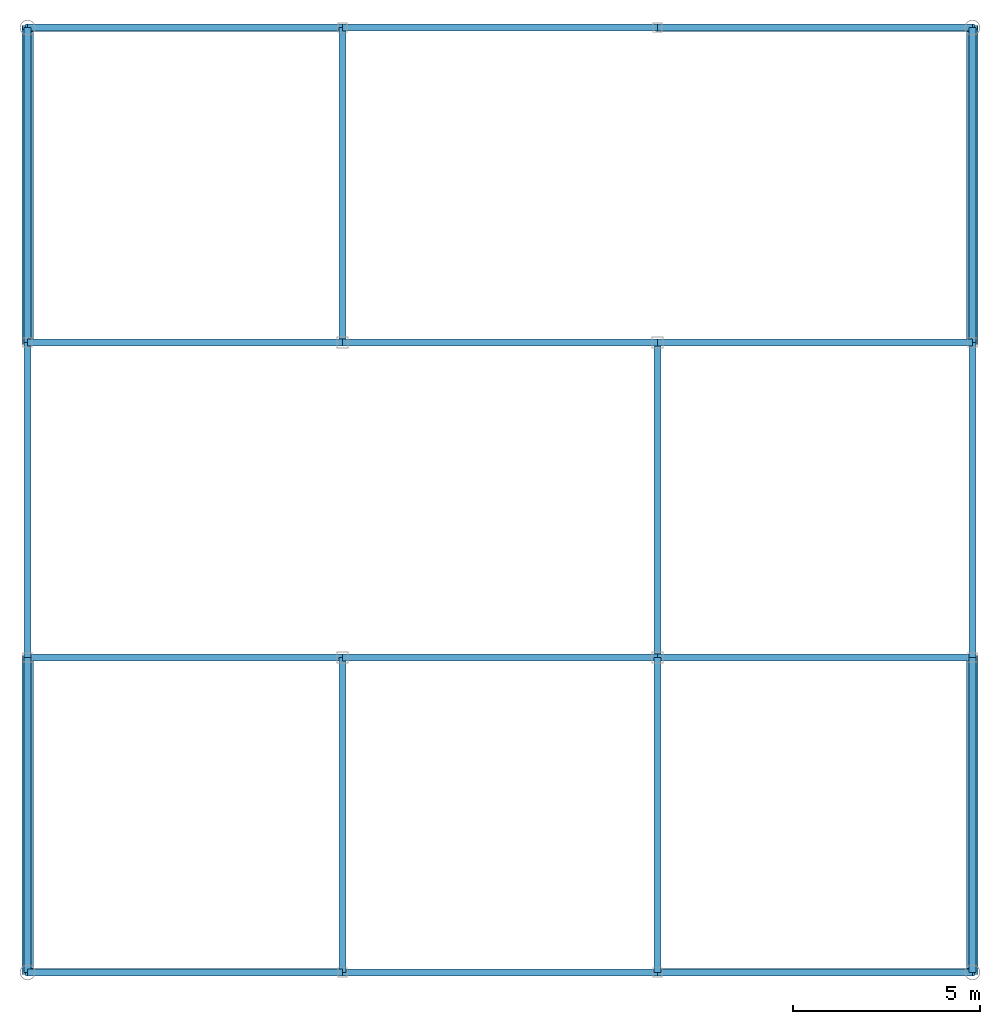
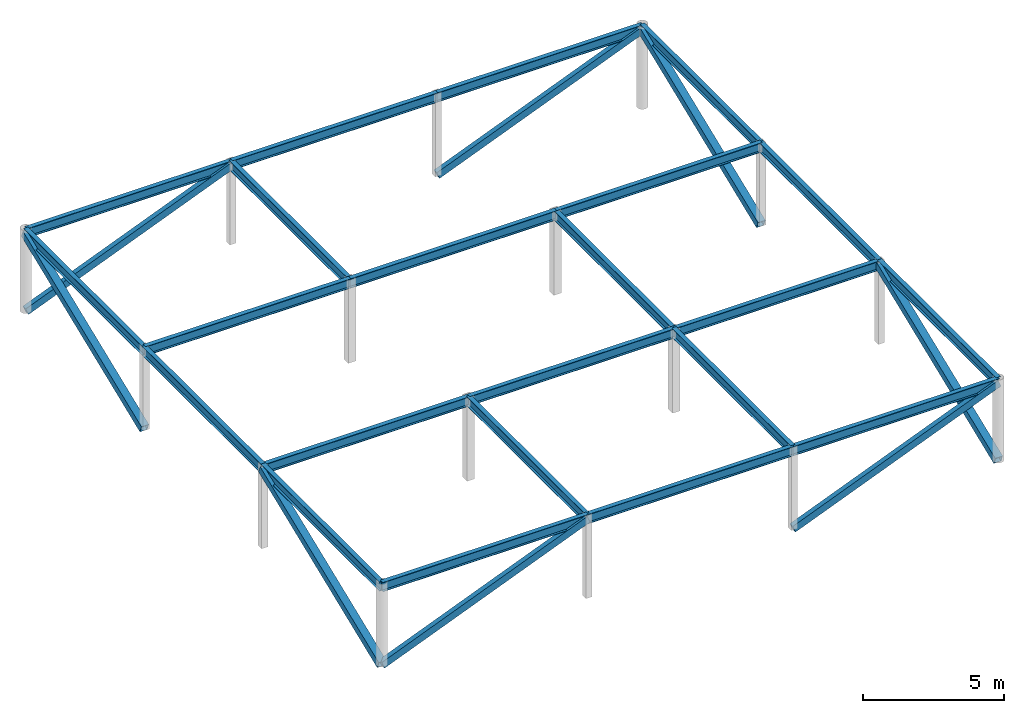
# One storey, part 3 of 3: 22 beams, 8 members.
"""IFC4 building model written with IfcOpenShell, lengths in metres."""

from ifc_helpers import new_model, si_unit, direction, frame, origin, origin_2d, place, context, subcontext, project, spatial, hollow_rectangle, i_section, extrude, material, material_profile, profile_set, type_object, element, save


model = new_model("IFC4")

# Units and contexts
model_context = context("Model", 3, precision=1e-05, world=origin(), true_north=direction((0.0, 1.0)))
body_context = subcontext(model_context, "Body", "Model", "MODEL_VIEW")
ifc_project = project(units=[si_unit("LENGTHUNIT", "METRE"), si_unit("AREAUNIT", "SQUARE_METRE"), si_unit("VOLUMEUNIT", "CUBIC_METRE"), si_unit("PLANEANGLEUNIT", "RADIAN"), si_unit("MASSUNIT", "GRAM", prefix="KILO")], contexts=[model_context])

# Site, building, storey
site_placement = place(None, origin())
site = spatial("IfcSite", under=ifc_project, at=site_placement, CompositionType="ELEMENT")
building_placement = place(site_placement, origin())
building = spatial("IfcBuilding", under=site, at=building_placement, Name="Almacenes y Pasaje Nevantli", CompositionType="ELEMENT")
storey_placement = place(building_placement, frame((0.0, 0.0, 71.199951171875)))
storey = spatial("IfcBuildingStorey", under=building, at=storey_placement, Name="RF", CompositionType="ELEMENT", Elevation=71.199951171875)

# Beams
ifc_material_1 = material(Name="Steel ASTM A992", Category="steel")
ifc_material_profile_1 = material_profile(ifc_material_1, i_section(OverallWidth=0.180908203125, OverallDepth=0.406005859375, WebThickness=0.010986328125, FlangeThickness=0.018310546875, at=origin_2d()), Name="IR 406x85.0")
ifc_profile_set_1 = profile_set([ifc_material_profile_1], Name="Steel ASTM A992")
beam_type = type_object("IfcBeamType", Name="BM-STL-IR-406x85p0", PredefinedType="BEAM", material=ifc_profile_set_1)
for number, where, z_axis, x_axis, name in (
    (1, (117.60009765625, 67.199951171875, 3.3701171875), (1.0, 0.0, 0.0), (0.0, 1.0, 0.0), "L16 Crown Steel Girder EW #1"),
    (2, (117.60009765625, 75.60009765625, 3.3701171875), (1.0, 0.0, 0.0), (0.0, 1.0, 0.0), "L16 Crown Steel Girder EW #1"),
    (3, (117.60009765625, 84.0, 3.3701171875), (1.0, 0.0, 0.0), (0.0, 1.0, 0.0), "L16 Crown Steel Girder EW #1"),
    (4, (117.60009765625, 92.39990234375, 3.3701171875), (1.0, 0.0, 0.0), (0.0, 1.0, 0.0), "L16 Crown Steel Girder EW #1"),
    (5, (126.0, 67.199951171875, 3.3701171875), (1.0, 0.0, 0.0), (0.0, 1.0, 0.0), "L16 Crown Steel Girder EW #2"),
    (6, (126.0, 75.60009765625, 3.3701171875), (1.0, 0.0, 0.0), (0.0, 1.0, 0.0), "L16 Crown Steel Girder EW #2"),
    (7, (126.0, 84.0, 3.3701171875), (1.0, 0.0, 0.0), (0.0, 1.0, 0.0), "L16 Crown Steel Girder EW #2"),
    (8, (126.0, 92.39990234375, 3.3701171875), (1.0, 0.0, 0.0), (0.0, 1.0, 0.0), "L16 Crown Steel Girder EW #2"),
):
    element("IfcBeam", number, at=place(storey_placement, frame(where, z_axis=z_axis, x_axis=x_axis)), inside=storey, type_object=beam_type, Name=name, PredefinedType="BEAM", context=body_context, shape_type="SweptSolid", body=[
        extrude(i_section(OverallWidth=0.180908203125, OverallDepth=0.406005859375, WebThickness=0.010986328125, FlangeThickness=0.018310546875, at=origin_2d()), origin(), (0.0, 0.0, 1.0), 8.39990234375),
    ])
for number, where, z_axis, x_axis, name in (
    (9, (134.39990234375, 67.199951171875, 3.3701171875), (1.0, 0.0, 0.0), (0.0, 1.0, 0.0), "L16 Crown Steel Girder EW #3"),
    (10, (134.39990234375, 75.60009765625, 3.3701171875), (1.0, 0.0, 0.0), (0.0, 1.0, 0.0), "L16 Crown Steel Girder EW #3"),
    (11, (134.39990234375, 84.0, 3.3701171875), (1.0, 0.0, 0.0), (0.0, 1.0, 0.0), "L16 Crown Steel Girder EW #3"),
    (12, (134.39990234375, 92.39990234375, 3.3701171875), (1.0, 0.0, 0.0), (0.0, 1.0, 0.0), "L16 Crown Steel Girder EW #3"),
    (13, (117.60009765625, 67.199951171875, 3.3701171875), (0.0, 1.0, 0.0), (-1.0, 0.0, 0.0), "L16 Crown Steel Girder NS #1"),
    (14, (126.0, 67.199951171875, 3.3701171875), (0.0, 1.0, 0.0), (-1.0, 0.0, 0.0), "L16 Crown Steel Girder NS #1"),
    (15, (134.39990234375, 67.199951171875, 3.3701171875), (0.0, 1.0, 0.0), (-1.0, 0.0, 0.0), "L16 Crown Steel Girder NS #1"),
    (16, (142.800048828125, 67.199951171875, 3.3701171875), (0.0, 1.0, 0.0), (-1.0, 0.0, 0.0), "L16 Crown Steel Girder NS #1"),
):
    element("IfcBeam", number, at=place(storey_placement, frame(where, z_axis=z_axis, x_axis=x_axis)), inside=storey, type_object=beam_type, Name=name, PredefinedType="BEAM", context=body_context, shape_type="SweptSolid", body=[
        extrude(i_section(OverallWidth=0.180908203125, OverallDepth=0.406005859375, WebThickness=0.010986328125, FlangeThickness=0.018310546875, at=origin_2d()), origin(), (0.0, 0.0, 1.0), 8.400146484375),
    ])
for number, where, z_axis, x_axis, name in (
    (17, (117.60009765625, 75.60009765625, 3.3701171875), (0.0, 1.0, 0.0), (-1.0, 0.0, 0.0), "L16 Crown Steel Girder NS #2"),
    (18, (134.39990234375, 75.60009765625, 3.3701171875), (0.0, 1.0, 0.0), (-1.0, 0.0, 0.0), "L16 Crown Steel Girder NS #2"),
    (19, (142.800048828125, 75.60009765625, 3.3701171875), (0.0, 1.0, 0.0), (-1.0, 0.0, 0.0), "L16 Crown Steel Girder NS #2"),
    (20, (117.60009765625, 84.0, 3.3701171875), (0.0, 1.0, 0.0), (-1.0, 0.0, 0.0), "L16 Crown Steel Girder NS #3"),
    (21, (126.0, 84.0, 3.3701171875), (0.0, 1.0, 0.0), (-1.0, 0.0, 0.0), "L16 Crown Steel Girder NS #3"),
    (22, (142.800048828125, 84.0, 3.3701171875), (0.0, 1.0, 0.0), (-1.0, 0.0, 0.0), "L16 Crown Steel Girder NS #3"),
):
    element("IfcBeam", number, at=place(storey_placement, frame(where, z_axis=z_axis, x_axis=x_axis)), inside=storey, type_object=beam_type, Name=name, PredefinedType="BEAM", context=body_context, shape_type="SweptSolid", body=[
        extrude(i_section(OverallWidth=0.180908203125, OverallDepth=0.406005859375, WebThickness=0.010986328125, FlangeThickness=0.018310546875, at=origin_2d()), origin(), (0.0, 0.0, 1.0), 8.39990234375),
    ])

# Members
ifc_material_2 = material(Name="Steel ASTM A500 Grade C", Category="steel")
ifc_material_profile_2 = material_profile(ifc_material_2, hollow_rectangle(XDim=0.203125, YDim=0.3046875, WallThickness=0.009521484375, at=origin_2d()), Name="OR 305x203x9.5")
ifc_profile_set_2 = profile_set([ifc_material_profile_2], Name="Steel ASTM A500 Grade C")
member_type_1 = type_object("IfcMemberType", Name="MBR-BRC-OR305x203", PredefinedType="BRACE", material=ifc_profile_set_2)
for number, where, z_axis, x_axis, name in (
    (23, (117.60009765625, 67.199951171875, 0.0), (0.928089240476, 0.0, 0.372357840944), (0.0, 1.0, 0.0), "L16 Crown Lateral Steel Brace EW #1"),
    (24, (117.60009765625, 92.39990234375, 0.0), (0.928089240476, 0.0, 0.372357840944), (0.0, 1.0, 0.0), "L16 Crown Lateral Steel Brace EW #1"),
):
    element("IfcMember", number, at=place(storey_placement, frame(where, z_axis=z_axis, x_axis=x_axis)), inside=storey, type_object=member_type_1, Name=name, PredefinedType="BRACE", context=body_context, shape_type="SweptSolid", body=[
        extrude(hollow_rectangle(XDim=0.203125, YDim=0.3046875, WallThickness=0.009521484375, at=origin_2d()), origin(), (0.0, 0.0, 1.0), 9.05078125),
    ])
for number, where, z_axis, x_axis, name in (
    (25, (134.39990234375, 67.199951171875, 0.0), (0.928092980378, 0.0, 0.37234851923), (0.0, 1.0, 0.0), "L16 Crown Lateral Steel Brace EW #3"),
    (26, (134.39990234375, 92.39990234375, 0.0), (0.928092980378, 0.0, 0.37234851923), (0.0, 1.0, 0.0), "L16 Crown Lateral Steel Brace EW #3"),
):
    element("IfcMember", number, at=place(storey_placement, frame(where, z_axis=z_axis, x_axis=x_axis)), inside=storey, type_object=member_type_1, Name=name, PredefinedType="BRACE", context=body_context, shape_type="SweptSolid", body=[
        extrude(hollow_rectangle(XDim=0.203125, YDim=0.3046875, WallThickness=0.009521484375, at=origin_2d()), origin(), (0.0, 0.0, 1.0), 9.051025390625),
    ])
ifc_material_3 = material(Name="Steel ASTM A500 Grade C", Category="steel")
ifc_material_profile_3 = material_profile(ifc_material_3, hollow_rectangle(XDim=0.3046875, YDim=0.3046875, WallThickness=0.0126953125, at=origin_2d()), Name="OR 305x305x12.7")
ifc_profile_set_3 = profile_set([ifc_material_profile_3], Name="Steel ASTM A500 Grade C")
member_type_2 = type_object("IfcMemberType", Name="MBR-BRC-OR305x305", PredefinedType="BRACE", material=ifc_profile_set_3)
for number, where, z_axis, x_axis, name in (
    (27, (117.60009765625, 67.199951171875, 0.0), (0.0, 0.928092980378, 0.37234851923), (-1.0, 0.0, 0.0), "L16 Crown Lateral Steel Brace NS #1"),
    (28, (142.800048828125, 67.199951171875, 0.0), (0.0, 0.928092980378, 0.37234851923), (-1.0, 0.0, 0.0), "L16 Crown Lateral Steel Brace NS #1"),
):
    element("IfcMember", number, at=place(storey_placement, frame(where, z_axis=z_axis, x_axis=x_axis)), inside=storey, type_object=member_type_2, Name=name, PredefinedType="BRACE", context=body_context, shape_type="SweptSolid", body=[
        extrude(hollow_rectangle(XDim=0.3046875, YDim=0.3046875, WallThickness=0.0126953125, at=origin_2d()), origin(), (0.0, 0.0, 1.0), 9.051025390625),
    ])
for number, where, z_axis, x_axis, name in (
    (29, (117.60009765625, 84.0, 0.0), (0.0, 0.928089240476, 0.372357840944), (-1.0, 0.0, 0.0), "L16 Crown Lateral Steel Brace NS #3"),
    (30, (142.800048828125, 84.0, 0.0), (0.0, 0.928089240476, 0.372357840944), (-1.0, 0.0, 0.0), "L16 Crown Lateral Steel Brace NS #3"),
):
    element("IfcMember", number, at=place(storey_placement, frame(where, z_axis=z_axis, x_axis=x_axis)), inside=storey, type_object=member_type_2, Name=name, PredefinedType="BRACE", context=body_context, shape_type="SweptSolid", body=[
        extrude(hollow_rectangle(XDim=0.3046875, YDim=0.3046875, WallThickness=0.0126953125, at=origin_2d()), origin(), (0.0, 0.0, 1.0), 9.05078125),
    ])

save(model, "model.ifc")
